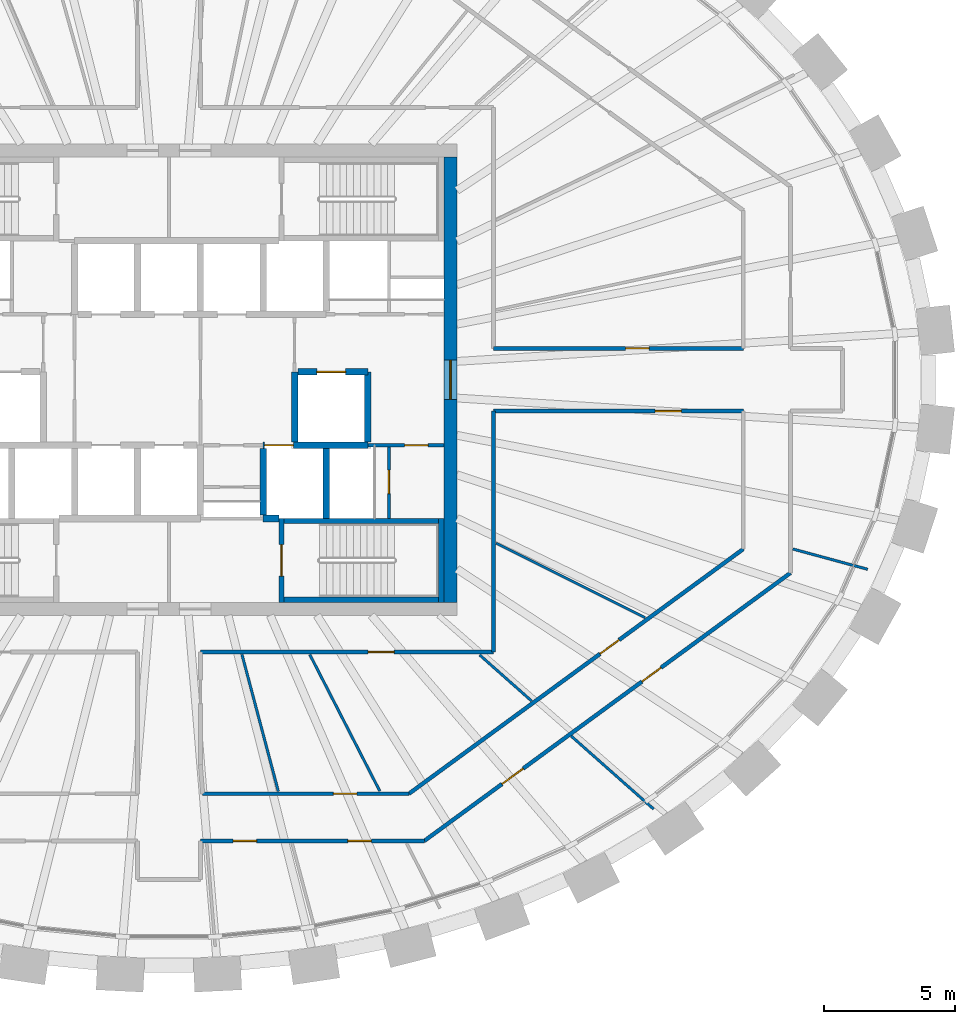
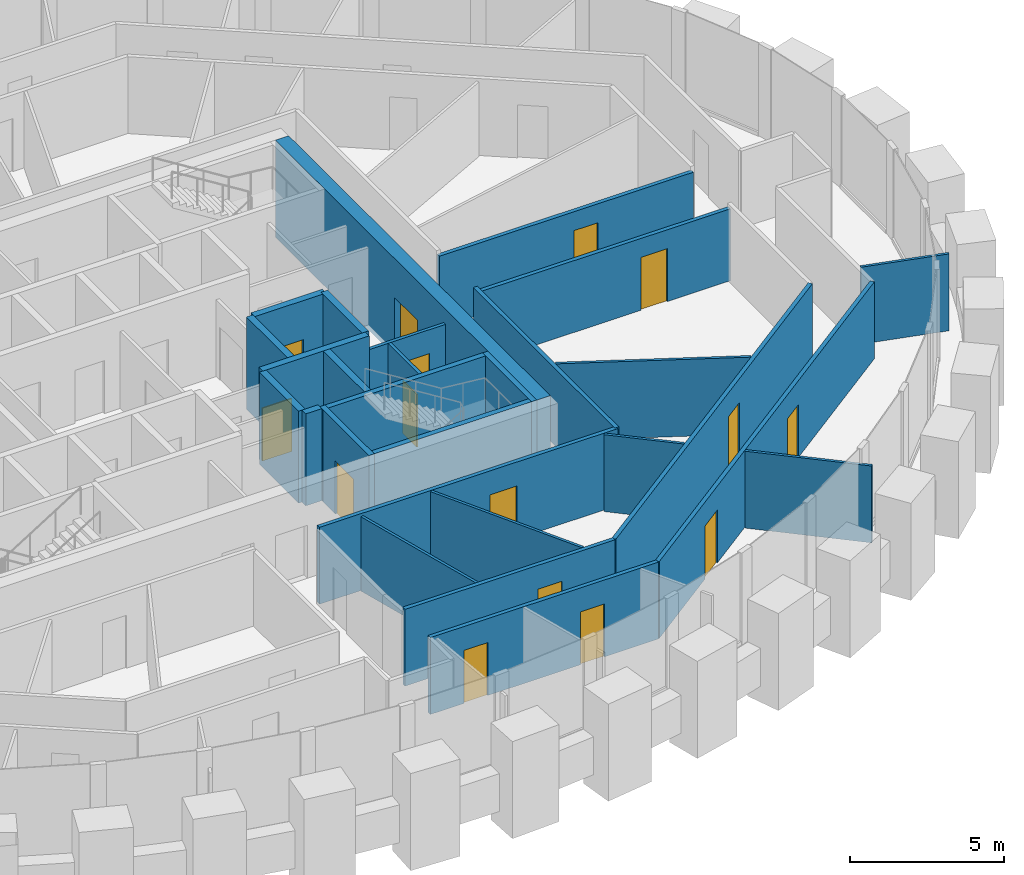
# One storey, part 8 of 11: 28 walls, 15 doors, 15 openings.
"""IFC4 building model written with IfcOpenShell, lengths in metres."""

import ifcopenshell
import ifcopenshell.guid

model = None  # the IFC model being written
_history = None  # IfcOwnerHistory: only IFC2X3 demands one
_inside = {}  # id of a spatial element -> (the spatial element, [elements in it])
_under = {}  # id of a project, library or spatial element -> (it, [spatial elements below it])
_declared = {}  # id of a project -> (the project, [libraries it declares])
_typed = {}  # id of a type object -> (the type object, [elements of that type])
_made_of = {}  # id of a material, layer set ... -> (it, [elements and type objects made of it])


def new_model(schema):
    """Start an empty IFC model of exactly this schema.

    Asked for "IFC4X3", IfcOpenShell would pick the latest addendum, in which some entities
    have other attributes; the version numbers below select the first issue.
    IFC2X3 requires an IfcOwnerHistory on every rooted entity: one is made here for all.
    """
    global model, _history
    if schema == "IFC4X3":
        model = ifcopenshell.file(schema_version=(4, 3, 0, 0))
    else:
        model = ifcopenshell.file(schema=schema)
    _inside.clear()
    _under.clear()
    _declared.clear()
    _typed.clear()
    _made_of.clear()
    _history = None
    if model.schema == "IFC2X3":
        org = make("IfcOrganization", Name="unknown")
        user = make(
            "IfcPersonAndOrganization",
            ThePerson=make("IfcPerson", FamilyName="unknown"),
            TheOrganization=org,
        )
        app = make(
            "IfcApplication",
            ApplicationDeveloper=org,
            Version="unknown",
            ApplicationFullName="unknown",
            ApplicationIdentifier="unknown",
        )
        _history = make(
            "IfcOwnerHistory",
            OwningUser=user,
            OwningApplication=app,
            ChangeAction="ADDED",
            CreationDate=0,
        )
    return model


def make(cls, **values):
    """One entity of the class cls with the attributes given. An attribute that is None is left unset."""
    return model.create_entity(
        cls, **{name: value for name, value in values.items() if value is not None}
    )


def rooted(cls, **values):
    """An entity with a GlobalId (a new one), such as an element, a storey or a relation."""
    return make(cls, GlobalId=ifcopenshell.guid.new(), OwnerHistory=_history, **values)


def si_unit(unit_type, name, prefix=None):
    """IfcSIUnit, for example si_unit("LENGTHUNIT", "METRE", prefix="MILLI")."""
    return make("IfcSIUnit", UnitType=unit_type, Prefix=prefix, Name=name)


def assignment(units):
    """IfcUnitAssignment: the units of a project."""
    return None if units is None else make("IfcUnitAssignment", Units=units)


def point(xyz):
    """IfcCartesianPoint."""
    return None if xyz is None else make("IfcCartesianPoint", Coordinates=xyz)


def direction(xyz):
    """IfcDirection."""
    return None if xyz is None else make("IfcDirection", DirectionRatios=xyz)


def frame(location, z_axis=None, x_axis=None):
    """IfcAxis2Placement3D, a coordinate frame: its origin and axes. An axis left out is left unset."""
    return make(
        "IfcAxis2Placement3D",
        Location=point(location),
        Axis=direction(z_axis),
        RefDirection=direction(x_axis),
    )


def frame_2d(location, x_axis=None):
    """IfcAxis2Placement2D, a coordinate frame in the plane: its origin and x axis."""
    return make(
        "IfcAxis2Placement2D", Location=point(location), RefDirection=direction(x_axis)
    )


def origin():
    """The frame at (0, 0, 0) with its axes left unset."""
    return frame((0.0, 0.0, 0.0))


def place(relative_to, where):
    """IfcLocalPlacement: puts the frame where relative to a parent placement (None: the world)."""
    return make(
        "IfcLocalPlacement", PlacementRelTo=relative_to, RelativePlacement=where
    )


def context(
    kind, dimensions, precision=None, world=None, true_north=None, identifier=None
):
    """IfcGeometricRepresentationContext, for example the 3D "Model" context."""
    return make(
        "IfcGeometricRepresentationContext",
        ContextIdentifier=identifier,
        ContextType=kind,
        CoordinateSpaceDimension=dimensions,
        Precision=precision,
        WorldCoordinateSystem=world,
        TrueNorth=true_north,
    )


def subcontext(parent, identifier, kind, view, scale=None):
    """IfcGeometricRepresentationSubContext, for example "Body" below "Model"."""
    return make(
        "IfcGeometricRepresentationSubContext",
        ContextIdentifier=identifier,
        ContextType=kind,
        ParentContext=parent,
        TargetScale=scale,
        TargetView=view,
    )


def project(units=None, contexts=None):
    """IfcProject with its units and contexts."""
    return rooted(
        "IfcProject",
        Name="project",
        RepresentationContexts=contexts,
        UnitsInContext=assignment(units),
    )


def spatial(cls, under=None, at=None, **own):
    """A site, building, storey or space (cls), placed at a placement, below another one or the project."""
    s = rooted(cls, ObjectPlacement=at, **own)
    if under is not None:
        _under.setdefault(under.id(), (under, []))[1].append(s)
    return s


def profile(cls, at=None, kind="AREA", **sizes):
    """A parametric profile (cls). Its sizes go by their IFC names, for example OverallWidth=200.0."""
    return make(cls, ProfileType=kind, Position=at, **sizes)


def rectangle(**sizes):
    """IfcRectangleProfileDef."""
    return profile("IfcRectangleProfileDef", **sizes)


def extrude(swept, where, along, depth):
    """IfcExtrudedAreaSolid: the profile swept, set in the frame where, extruded along a direction by depth."""
    return make(
        "IfcExtrudedAreaSolid",
        SweptArea=swept,
        Position=where,
        ExtrudedDirection=direction(along),
        Depth=depth,
    )


def shape(context_of_items, identifier, shape_type, items):
    """IfcShapeRepresentation: the items that make up one representation, for example the "Body"."""
    return make(
        "IfcShapeRepresentation",
        ContextOfItems=context_of_items,
        RepresentationIdentifier=identifier,
        RepresentationType=shape_type,
        Items=items,
    )


def source(mapping_origin, context_of_items, identifier, shape_type, items):
    """IfcRepresentationMap: a shape defined once, which mapped items show again and again."""
    return make(
        "IfcRepresentationMap",
        MappingOrigin=mapping_origin,
        MappedRepresentation=shape(context_of_items, identifier, shape_type, items),
    )


def transform(
    local_origin,
    x_axis=None,
    y_axis=None,
    z_axis=None,
    scale=None,
    scale2=None,
    scale3=None,
    uniform=True,
):
    """IfcCartesianTransformationOperator3D, or its non-uniform kind. x_axis, y_axis, z_axis: its Axis1, 2, 3."""
    if uniform:
        return make(
            "IfcCartesianTransformationOperator3D",
            Axis1=direction(x_axis),
            Axis2=direction(y_axis),
            LocalOrigin=point(local_origin),
            Scale=scale,
            Axis3=direction(z_axis),
        )
    return make(
        "IfcCartesianTransformationOperator3DnonUniform",
        Axis1=direction(x_axis),
        Axis2=direction(y_axis),
        LocalOrigin=point(local_origin),
        Scale=scale,
        Axis3=direction(z_axis),
        Scale2=scale2,
        Scale3=scale3,
    )


def mapped(mapping_source, mapping_target):
    """IfcMappedItem: shows the shape of a source again, moved by a transform."""
    return make(
        "IfcMappedItem", MappingSource=mapping_source, MappingTarget=mapping_target
    )


def material(Name=None, Category=None):
    """IfcMaterial."""
    return make("IfcMaterial", Name=Name, Category=Category)


def layer(
    of_material, thickness, ventilated=None, Name=None, Category=None, Priority=None
):
    """IfcMaterialLayer: one layer of a wall or slab, of a material (None: an air gap)."""
    return make(
        "IfcMaterialLayer",
        Material=of_material,
        LayerThickness=thickness,
        IsVentilated=ventilated,
        Name=Name,
        Category=Category,
        Priority=Priority,
    )


def layer_set(layers, Name=None):
    """IfcMaterialLayerSet."""
    return make("IfcMaterialLayerSet", MaterialLayers=layers, LayerSetName=Name)


def made_of(thing, what):
    """Note that an element or type object is made of a material, layer set ...; save() writes the relation."""
    if what is not None:
        _made_of.setdefault(what.id(), (what, []))[1].append(thing)
    return thing


def type_object(cls, material=None, **own):
    """A type object (cls), such as IfcWallType, which elements share."""
    return made_of(rooted(cls, **own), material)


def element(
    cls,
    number,
    at=None,
    inside=None,
    cuts=None,
    type_object=None,
    material=None,
    context=None,
    identifier="Body",
    shape_type=None,
    held_by="IfcProductDefinitionShape",
    body=None,
    shapes=None,
    **own,
):
    """One element of the class cls, such as IfcWall. Its Tag is "e" and its number.

    at: its placement. inside: the storey or other place that contains it. cuts: it is an
    opening in that element (IfcRelVoidsElement). A single representation is given by context,
    identifier, shape_type and body (its items); several are given by shapes. held_by: the class
    of the entity that holds the representations. save() writes the other relations.
    """
    e = rooted(cls, Tag="e%d" % number, ObjectPlacement=at, **own)
    if body is not None:
        shapes = [shape(context, identifier, shape_type, body)]
    if shapes is not None:
        e.Representation = make(held_by, Representations=shapes)
    if inside is not None:
        _inside.setdefault(inside.id(), (inside, []))[1].append(e)
    if cuts is not None:
        rooted(
            "IfcRelVoidsElement", RelatingBuildingElement=cuts, RelatedOpeningElement=e
        )
    if type_object is not None:
        _typed.setdefault(type_object.id(), (type_object, []))[1].append(e)
    return made_of(e, material)


def fill(opening, filler):
    """IfcRelFillsElement: the door or window that sits in an opening."""
    return rooted(
        "IfcRelFillsElement",
        RelatingOpeningElement=opening,
        RelatedBuildingElement=filler,
    )


def aggregate(whole, parts):
    """IfcRelAggregates: a whole, such as a stair, and the parts it consists of."""
    return rooted("IfcRelAggregates", RelatingObject=whole, RelatedObjects=parts)


def save(model, path):
    """Write the relations noted so far, then the file.

    IfcRelAggregates (storeys below a building ...), IfcRelContainedInSpatialStructure (elements
    in a storey), IfcRelDefinesByType, IfcRelAssociatesMaterial and IfcRelDeclares: one each for
    every whole, place, type object, material and project.
    """
    for whole, parts in _under.values():
        aggregate(whole, parts)
    for where, things in _inside.values():
        rooted(
            "IfcRelContainedInSpatialStructure",
            RelatedElements=things,
            RelatingStructure=where,
        )
    for kind, things in _typed.values():
        rooted("IfcRelDefinesByType", RelatedObjects=things, RelatingType=kind)
    for what, things in _made_of.values():
        rooted("IfcRelAssociatesMaterial", RelatedObjects=things, RelatingMaterial=what)
    for by, libraries in _declared.values():
        rooted("IfcRelDeclares", RelatingContext=by, RelatedDefinitions=libraries)
    model.write(path)


model = new_model("IFC4")

# Units and contexts
model_context = context("Model", 3, precision=1e-05, world=origin(), true_north=direction((0.0, 1.0)))
body_context = subcontext(model_context, "Body", "Model", "MODEL_VIEW")
ifc_project = project(units=[si_unit("LENGTHUNIT", "METRE"), si_unit("AREAUNIT", "SQUARE_METRE"), si_unit("VOLUMEUNIT", "CUBIC_METRE"), si_unit("PLANEANGLEUNIT", "RADIAN"), si_unit("MASSUNIT", "GRAM", prefix="KILO")], contexts=[model_context])

# Site, building, storey
site_placement = place(None, origin())
site = spatial("IfcSite", under=ifc_project, at=site_placement, CompositionType="ELEMENT")
building_placement = place(site_placement, origin())
building = spatial("IfcBuilding", under=site, at=building_placement, Name="Embergate Tower", CompositionType="ELEMENT")
storey_placement = place(building_placement, frame((0.0, 0.0, 328.60009765625)))
storey = spatial("IfcBuildingStorey", under=building, at=storey_placement, Name="L77", CompositionType="ELEMENT", Elevation=328.60009765625)

# Wall, opening, door
ifc_material_1 = material(Name="Concrete C50", Category="concrete")
ifc_layer_1 = layer(ifc_material_1, 0.5)
ifc_layer_set_1 = layer_set([ifc_layer_1], Name="Concrete C50")
wall_type_1 = type_object("IfcWallType", Name="Core outer wall C50 500", PredefinedType="SHEAR", material=ifc_layer_set_1)
shared_shape_1 = source(origin(), body_context, "Body", "SweptSolid", [
    extrude(rectangle(XDim=17.0, YDim=0.5, at=frame_2d((8.5, 0.0))), origin(), (0.0, 0.0, 1.0), 3.85009765625),
])
wall_1_placement = place(storey_placement, frame((10.75, -8.5, -0.2001953125), z_axis=(0.0, 0.0, 1.0), x_axis=(0.0, 1.0, 0.0)))
wall_1 = element("IfcWall", 1, at=wall_1_placement, inside=storey, type_object=wall_type_1, Name="CW-L77-E", PredefinedType="SHEAR", context=body_context, shape_type="MappedRepresentation", body=[
    mapped(shared_shape_1, transform((0.0, 0.0, 0.0))),
])
shared_shape_2 = source(origin(), body_context, "Body", "SweptSolid", [
    extrude(rectangle(XDim=1.5, YDim=2.10009765625, at=frame_2d((0.75, 1.050048828125))), frame((0.0, 0.260009765625, 0.0), z_axis=(0.0, -1.0, 0.0), x_axis=(1.0, 0.0, 0.0)), (0.0, 0.0, 1.0), 0.52001953125),
])
opening_1_placement = place(wall_1_placement, frame((7.75, 0.0, 0.199951171875)))
opening_1 = element("IfcOpeningElement", 2, at=opening_1_placement, cuts=wall_1, Name="Opening IF-3", PredefinedType="OPENING", context=body_context, shape_type="MappedRepresentation", body=[
    mapped(shared_shape_2, transform((0.0, 0.0, 0.0))),
])
ifc_material_2 = material(Name="Lobby fire door pair 1500")
door_type_1 = type_object("IfcDoorType", Name="Lobby fire door pair 1500", OperationType="DOUBLE_DOOR_SINGLE_SWING", PredefinedType="DOOR", material=ifc_material_2)
shared_shape_3 = source(origin(), body_context, "Body", "SweptSolid", [
    extrude(rectangle(XDim=1.5, YDim=2.10009765625, at=frame_2d((0.75, 1.050048828125))), frame((0.0, 0.02490234375, 0.0), z_axis=(0.0, -1.0, 0.0), x_axis=(1.0, 0.0, 0.0)), (0.0, 0.0, 1.0), 0.050048828125),
])
door_1_placement = place(opening_1_placement, origin())
door_1 = element("IfcDoor", 3, at=door_1_placement, inside=storey, type_object=door_type_1, Name="IF-3 door", OperationType="DOUBLE_DOOR_SINGLE_SWING", OverallHeight=2.10009765625, OverallWidth=1.5, PredefinedType="DOOR", context=body_context, shape_type="MappedRepresentation", body=[
    mapped(shared_shape_3, transform((0.0, 0.0, 0.0))),
])
fill(opening_1, door_1)

# Wall, openings, doors
ifc_material_3 = material(Name="Corridor wall dry-lined 150")
ifc_layer_2 = layer(ifc_material_3, 0.14990234375)
ifc_layer_set_2 = layer_set([ifc_layer_2], Name="Corridor wall dry-lined 150")
wall_type_2 = type_object("IfcWallType", Name="Corridor wall dry-lined 150", PredefinedType="PARTITIONING", material=ifc_layer_set_2)
shared_shape_4 = source(origin(), body_context, "Body", "SweptSolid", [
    extrude(rectangle(XDim=17.3251953125, YDim=0.14990234375, at=frame_2d((8.66259765625, 0.0))), origin(), (0.0, 0.0, 1.0), 3.0498046875),
])
wall_2_placement = place(storey_placement, frame((9.751953125, -17.611083984375, 0.0), z_axis=(0.0, 0.0, 1.0), x_axis=(0.806969554432, 0.590593039427, 0.0)))
wall_2 = element("IfcWall", 4, at=wall_2_placement, inside=storey, type_object=wall_type_2, Name="IP-2 wall", PredefinedType="PARTITIONING", context=body_context, shape_type="MappedRepresentation", body=[
    mapped(shared_shape_4, transform((0.0, 0.0, 0.0))),
])
shared_shape_5 = source(origin(), body_context, "Body", "SweptSolid", [
    extrude(rectangle(XDim=1.0, YDim=2.10009765625, at=frame_2d((0.5, 1.050048828125))), frame((0.0, 0.0849609375, 0.0), z_axis=(0.0, -1.0, 0.0), x_axis=(1.0, 0.0, 0.0)), (0.0, 0.0, 1.0), 0.169921875),
])
opening_2_placement = place(wall_2_placement, frame((3.677490234375, 0.0, 0.0)))
opening_2 = element("IfcOpeningElement", 5, at=opening_2_placement, cuts=wall_2, Name="Opening ID-2", PredefinedType="OPENING", context=body_context, shape_type="MappedRepresentation", body=[
    mapped(shared_shape_5, transform((0.0, 0.0, 0.0))),
])
shared_shape_6 = source(origin(), body_context, "Body", "SweptSolid", [
    extrude(rectangle(XDim=0.89990234375, YDim=2.10009765625, at=frame_2d((0.449951171875, 1.050048828125))), frame((0.0, 0.0849609375, 0.0), z_axis=(0.0, -1.0, 0.0), x_axis=(1.0, 0.0, 0.0)), (0.0, 0.0, 1.0), 0.169921875),
])
opening_3_placement = place(wall_2_placement, frame((10.303955078125, 0.0, 0.0)))
opening_3 = element("IfcOpeningElement", 6, at=opening_3_placement, cuts=wall_2, Name="Opening IF-1c", PredefinedType="OPENING", context=body_context, shape_type="MappedRepresentation", body=[
    mapped(shared_shape_6, transform((0.0, 0.0, 0.0))),
])
ifc_material_4 = material(Name="Escape fire door 900")
door_type_2 = type_object("IfcDoorType", Name="Escape fire door 900", OperationType="SINGLE_SWING_LEFT", PredefinedType="DOOR", material=ifc_material_4)
shared_shape_7 = source(origin(), body_context, "Body", "SweptSolid", [
    extrude(rectangle(XDim=0.89990234375, YDim=2.10009765625, at=frame_2d((0.449951171875, 1.050048828125))), frame((0.0, 0.02490234375, 0.0), z_axis=(0.0, -1.0, 0.0), x_axis=(1.0, 0.0, 0.0)), (0.0, 0.0, 1.0), 0.050048828125),
])
door_2_placement = place(opening_3_placement, origin())
door_2 = element("IfcDoor", 7, at=door_2_placement, inside=storey, type_object=door_type_2, Name="IF-1 door", OperationType="SINGLE_SWING_LEFT", OverallHeight=2.10009765625, OverallWidth=0.89990234375, PredefinedType="DOOR", context=body_context, shape_type="MappedRepresentation", body=[
    mapped(shared_shape_7, transform((0.0, 0.0, 0.0))),
])
fill(opening_3, door_2)
ifc_material_5 = material(Name="Interior door 1000")
door_type_3 = type_object("IfcDoorType", Name="Interior door 1000", OperationType="SINGLE_SWING_LEFT", PredefinedType="DOOR", material=ifc_material_5)
shared_shape_8 = source(origin(), body_context, "Body", "SweptSolid", [
    extrude(rectangle(XDim=1.0, YDim=2.10009765625, at=frame_2d((0.5, 1.050048828125))), frame((0.0, 0.02490234375, 0.0), z_axis=(0.0, -1.0, 0.0), x_axis=(1.0, 0.0, 0.0)), (0.0, 0.0, 1.0), 0.050048828125),
])
door_3_placement = place(opening_2_placement, origin())
door_3 = element("IfcDoor", 8, at=door_3_placement, inside=storey, type_object=door_type_3, Name="ID-2 door", OperationType="SINGLE_SWING_RIGHT", OverallHeight=2.10009765625, OverallWidth=1.0, PredefinedType="DOOR", context=body_context, shape_type="MappedRepresentation", body=[
    mapped(shared_shape_8, transform((0.0, 0.0, 0.0))),
])
fill(opening_2, door_3)

# Wall, opening, door
shared_shape_9 = source(origin(), body_context, "Body", "SweptSolid", [
    extrude(rectangle(XDim=15.82470703125, YDim=0.14990234375, at=frame_2d((7.912353515625, 0.0))), origin(), (0.0, 0.0, 1.0), 3.0498046875),
])
wall_3_placement = place(storey_placement, frame((9.1630859375, -15.81103515625, 0.0), z_axis=(0.0, 0.0, 1.0), x_axis=(0.80696917181, 0.590593562231, 0.0)))
wall_3 = element("IfcWall", 9, at=wall_3_placement, inside=storey, type_object=wall_type_2, Name="IP-2 wall", PredefinedType="PARTITIONING", context=body_context, shape_type="MappedRepresentation", body=[
    mapped(shared_shape_9, transform((0.0, 0.0, 0.0))),
])
opening_4_placement = place(wall_3_placement, frame((9.046875, 0.0, 0.0)))
opening_4 = element("IfcOpeningElement", 10, at=opening_4_placement, cuts=wall_3, Name="Opening IF-1c", PredefinedType="OPENING", context=body_context, shape_type="MappedRepresentation", body=[
    mapped(shared_shape_6, transform((0.0, 0.0, 0.0))),
])
door_4_placement = place(opening_4_placement, origin())
door_4 = element("IfcDoor", 11, at=door_4_placement, inside=storey, type_object=door_type_2, Name="IF-1 door", OperationType="SINGLE_SWING_LEFT", OverallHeight=2.10009765625, OverallWidth=0.89990234375, PredefinedType="DOOR", context=body_context, shape_type="MappedRepresentation", body=[
    mapped(shared_shape_7, transform((0.0, 0.0, 0.0))),
])
fill(opening_4, door_4)

# Wall
shared_shape_10 = source(origin(), body_context, "Body", "SweptSolid", [
    extrude(rectangle(XDim=9.199951171875, YDim=0.14990234375, at=frame_2d((4.60009765625, 0.0))), origin(), (0.0, 0.0, 1.0), 3.0498046875),
])
wall_4_placement = place(storey_placement, frame((12.39990234375, -1.199951171875, 0.0), z_axis=(0.0, 0.0, 1.0), x_axis=(0.0, -1.0, 0.0)))
element("IfcWall", 12, at=wall_4_placement, inside=storey, type_object=wall_type_2, Name="IP-2 wall", PredefinedType="PARTITIONING", context=body_context, shape_type="MappedRepresentation", body=[
    mapped(shared_shape_10, transform((0.0, 0.0, 0.0))),
])

# Wall, opening, door
shared_shape_11 = source(origin(), body_context, "Body", "SweptSolid", [
    extrude(rectangle(XDim=11.199951171875, YDim=0.14990234375, at=frame_2d((5.60009765625, 0.0))), origin(), (0.0, 0.0, 1.0), 3.0498046875),
])
wall_5_placement = place(storey_placement, frame((1.199951171875, -10.39990234375, 0.0), z_axis=(0.0, 0.0, 1.0), x_axis=(1.0, 0.0, 0.0)))
wall_5 = element("IfcWall", 13, at=wall_5_placement, inside=storey, type_object=wall_type_2, Name="IP-2 wall", PredefinedType="PARTITIONING", context=body_context, shape_type="MappedRepresentation", body=[
    mapped(shared_shape_11, transform((0.0, 0.0, 0.0))),
])
opening_5_placement = place(wall_5_placement, frame((6.403076171875, 0.0, 0.0)))
opening_5 = element("IfcOpeningElement", 14, at=opening_5_placement, cuts=wall_5, Name="Opening ID-2", PredefinedType="OPENING", context=body_context, shape_type="MappedRepresentation", body=[
    mapped(shared_shape_5, transform((0.0, 0.0, 0.0))),
])
door_5_placement = place(opening_5_placement, origin())
door_5 = element("IfcDoor", 15, at=door_5_placement, inside=storey, type_object=door_type_3, Name="ID-2 door", OperationType="SINGLE_SWING_RIGHT", OverallHeight=2.10009765625, OverallWidth=1.0, PredefinedType="DOOR", context=body_context, shape_type="MappedRepresentation", body=[
    mapped(shared_shape_8, transform((0.0, 0.0, 0.0))),
])
fill(opening_5, door_5)

# Wall, openings, doors
shared_shape_12 = source(origin(), body_context, "Body", "SweptSolid", [
    extrude(rectangle(XDim=8.552001953125, YDim=0.14990234375, at=frame_2d((4.27587890625, 0.0))), origin(), (0.0, 0.0, 1.0), 3.0498046875),
])
wall_6_placement = place(storey_placement, frame((9.751953125, -17.611083984375, 0.0), z_axis=(0.0, 0.0, 1.0), x_axis=(-1.0, 0.0, 0.0)))
wall_6 = element("IfcWall", 16, at=wall_6_placement, inside=storey, type_object=wall_type_2, Name="IP-2 wall", PredefinedType="PARTITIONING", context=body_context, shape_type="MappedRepresentation", body=[
    mapped(shared_shape_12, transform((0.0, 0.0, 0.0))),
])
opening_6_placement = place(wall_6_placement, frame((6.39990234375, 0.0, 0.0)))
opening_6 = element("IfcOpeningElement", 17, at=opening_6_placement, cuts=wall_6, Name="Opening IF-1c", PredefinedType="OPENING", context=body_context, shape_type="MappedRepresentation", body=[
    mapped(shared_shape_6, transform((0.0, 0.0, 0.0))),
])
opening_7_placement = place(wall_6_placement, frame((2.020751953125, 0.0, 0.0)))
opening_7 = element("IfcOpeningElement", 18, at=opening_7_placement, cuts=wall_6, Name="Opening IF-1c", PredefinedType="OPENING", context=body_context, shape_type="MappedRepresentation", body=[
    mapped(shared_shape_6, transform((0.0, 0.0, 0.0))),
])
door_6_placement = place(opening_6_placement, origin())
door_6 = element("IfcDoor", 19, at=door_6_placement, inside=storey, type_object=door_type_2, Name="IF-1 door", OperationType="SINGLE_SWING_LEFT", OverallHeight=2.10009765625, OverallWidth=0.89990234375, PredefinedType="DOOR", context=body_context, shape_type="MappedRepresentation", body=[
    mapped(shared_shape_7, transform((0.0, 0.0, 0.0))),
])
fill(opening_6, door_6)
door_7_placement = place(opening_7_placement, origin())
door_7 = element("IfcDoor", 20, at=door_7_placement, inside=storey, type_object=door_type_2, Name="IF-1 door", OperationType="SINGLE_SWING_LEFT", OverallHeight=2.10009765625, OverallWidth=0.89990234375, PredefinedType="DOOR", context=body_context, shape_type="MappedRepresentation", body=[
    mapped(shared_shape_7, transform((0.0, 0.0, 0.0))),
])
fill(opening_7, door_7)

# Wall, opening, door
shared_shape_13 = source(origin(), body_context, "Body", "SweptSolid", [
    extrude(rectangle(XDim=7.873046875, YDim=0.14990234375, at=frame_2d((3.9365234375, 0.0))), origin(), (0.0, 0.0, 1.0), 3.0498046875),
])
wall_7_placement = place(storey_placement, frame((9.1630859375, -15.81103515625, 0.0), z_axis=(0.0, 0.0, 1.0), x_axis=(-1.0, 0.0, 0.0)))
wall_7 = element("IfcWall", 21, at=wall_7_placement, inside=storey, type_object=wall_type_2, Name="IP-2 wall", PredefinedType="PARTITIONING", context=body_context, shape_type="MappedRepresentation", body=[
    mapped(shared_shape_13, transform((0.0, 0.0, 0.0))),
])
opening_8_placement = place(wall_7_placement, frame((1.9814453125, 0.0, 0.0)))
opening_8 = element("IfcOpeningElement", 22, at=opening_8_placement, cuts=wall_7, Name="Opening IF-1c", PredefinedType="OPENING", context=body_context, shape_type="MappedRepresentation", body=[
    mapped(shared_shape_6, transform((0.0, 0.0, 0.0))),
])
door_8_placement = place(opening_8_placement, origin())
door_8 = element("IfcDoor", 23, at=door_8_placement, inside=storey, type_object=door_type_2, Name="IF-1 door", OperationType="SINGLE_SWING_RIGHT", OverallHeight=2.10009765625, OverallWidth=0.89990234375, PredefinedType="DOOR", context=body_context, shape_type="MappedRepresentation", body=[
    mapped(shared_shape_7, transform((0.0, 0.0, 0.0))),
])
fill(opening_8, door_8)

shared_shape_14 = source(origin(), body_context, "Body", "SweptSolid", [
    extrude(rectangle(XDim=9.533203125, YDim=0.14990234375, at=frame_2d((4.7666015625, 0.0))), origin(), (0.0, 0.0, 1.0), 2.849853515625),
])
wall_8_placement = place(storey_placement, frame((21.93310546875, -1.199951171875, 0.0), z_axis=(0.0, 0.0, 1.0), x_axis=(-1.0, 0.0, 0.0)))
wall_8 = element("IfcWall", 24, at=wall_8_placement, inside=storey, type_object=wall_type_2, Name="IP-2 wall", PredefinedType="PARTITIONING", context=body_context, shape_type="MappedRepresentation", body=[
    mapped(shared_shape_14, transform((0.0, 0.0, 0.0))),
])
opening_9_placement = place(wall_8_placement, frame((2.36279296875, 0.0, 0.0)))
opening_9 = element("IfcOpeningElement", 25, at=opening_9_placement, cuts=wall_8, Name="Opening ID-2", PredefinedType="OPENING", context=body_context, shape_type="MappedRepresentation", body=[
    mapped(shared_shape_5, transform((0.0, 0.0, 0.0))),
])
door_9_placement = place(opening_9_placement, origin())
door_9 = element("IfcDoor", 26, at=door_9_placement, inside=storey, type_object=door_type_3, Name="ID-2 door", OperationType="SINGLE_SWING_LEFT", OverallHeight=2.10009765625, OverallWidth=1.0, PredefinedType="DOOR", context=body_context, shape_type="MappedRepresentation", body=[
    mapped(shared_shape_8, transform((0.0, 0.0, 0.0))),
])
fill(opening_9, door_9)

wall_9_placement = place(storey_placement, frame((12.39990234375, 1.199951171875, 0.0), z_axis=(0.0, 0.0, 1.0), x_axis=(1.0, 0.0, 0.0)))
wall_9 = element("IfcWall", 27, at=wall_9_placement, inside=storey, type_object=wall_type_2, Name="IP-2 wall", PredefinedType="PARTITIONING", context=body_context, shape_type="MappedRepresentation", body=[
    mapped(shared_shape_14, transform((0.0, 0.0, 0.0))),
])
opening_10_placement = place(wall_9_placement, frame((5.0390625, 0.0, 0.0)))
opening_10 = element("IfcOpeningElement", 28, at=opening_10_placement, cuts=wall_9, Name="Opening IF-1c", PredefinedType="OPENING", context=body_context, shape_type="MappedRepresentation", body=[
    mapped(shared_shape_6, transform((0.0, 0.0, 0.0))),
])
door_10_placement = place(opening_10_placement, origin())
door_10 = element("IfcDoor", 29, at=door_10_placement, inside=storey, type_object=door_type_2, Name="IF-1 door", OperationType="SINGLE_SWING_RIGHT", OverallHeight=2.10009765625, OverallWidth=0.89990234375, PredefinedType="DOOR", context=body_context, shape_type="MappedRepresentation", body=[
    mapped(shared_shape_7, transform((0.0, 0.0, 0.0))),
])
fill(opening_10, door_10)

# Walls
ifc_material_6 = material(Name="Partition dry-lined 100")
ifc_layer_3 = layer(ifc_material_6, 0.10009765625)
ifc_layer_set_3 = layer_set([ifc_layer_3], Name="Partition dry-lined 100")
wall_type_3 = type_object("IfcWallType", Name="Partition dry-lined 100", PredefinedType="PARTITIONING", material=ifc_layer_set_3)
shared_shape_15 = source(origin(), body_context, "Body", "SweptSolid", [
    extrude(rectangle(XDim=4.20703125, YDim=0.10009765625, at=frame_2d((2.103515625, 0.0))), origin(), (0.0, 0.0, 1.0), 3.0498046875),
])
wall_10_placement = place(storey_placement, frame((15.364013671875, -13.610107421875, 0.0), z_axis=(0.0, 0.0, 1.0), x_axis=(0.748500116383, -0.663134658855, 0.0)))
element("IfcWall", 30, at=wall_10_placement, inside=storey, type_object=wall_type_3, Name="IP-1 wall", PredefinedType="PARTITIONING", context=body_context, shape_type="MappedRepresentation", body=[
    mapped(shared_shape_15, transform((0.0, 0.0, 0.0))),
])
shared_shape_16 = source(origin(), body_context, "Body", "SweptSolid", [
    extrude(rectangle(XDim=5.41650390625, YDim=0.10009765625, at=frame_2d((2.708251953125, 0.0))), origin(), (0.0, 0.0, 1.0), 2.949951171875),
])
wall_11_placement = place(storey_placement, frame((2.787109375, -10.488037109375, 0.0), z_axis=(0.0, 0.0, 1.0), x_axis=(0.256784450069, -0.966468699029, 0.0)))
element("IfcWall", 31, at=wall_11_placement, inside=storey, type_object=wall_type_3, Name="IP-1 wall", PredefinedType="PARTITIONING", context=body_context, shape_type="MappedRepresentation", body=[
    mapped(shared_shape_16, transform((0.0, 0.0, 0.0))),
])
shared_shape_17 = source(origin(), body_context, "Body", "SweptSolid", [
    extrude(rectangle(XDim=5.85986328125, YDim=0.10009765625, at=frame_2d((2.929931640625, 0.0))), origin(), (0.0, 0.0, 1.0), 3.0498046875),
])
wall_12_placement = place(storey_placement, frame((5.381103515625, -10.498046875, 0.0), z_axis=(0.0, 0.0, 1.0), x_axis=(0.456123786711, -0.889916339437, 0.0)))
element("IfcWall", 32, at=wall_12_placement, inside=storey, type_object=wall_type_3, Name="IP-1 wall", PredefinedType="PARTITIONING", context=body_context, shape_type="MappedRepresentation", body=[
    mapped(shared_shape_17, transform((0.0, 0.0, 0.0))),
])
shared_shape_18 = source(origin(), body_context, "Body", "SweptSolid", [
    extrude(rectangle(XDim=2.654541015625, YDim=0.10009765625, at=frame_2d((1.3271484375, 0.0))), origin(), (0.0, 0.0, 1.0), 3.0498046875),
])
wall_13_placement = place(storey_placement, frame((11.866943359375, -10.511962890625, 0.0), z_axis=(0.0, 0.0, 1.0), x_axis=(0.748580354295, -0.66304408086, 0.0)))
element("IfcWall", 33, at=wall_13_placement, inside=storey, type_object=wall_type_3, Name="IP-1 wall", PredefinedType="PARTITIONING", context=body_context, shape_type="MappedRepresentation", body=[
    mapped(shared_shape_18, transform((0.0, 0.0, 0.0))),
])
shared_shape_19 = source(origin(), body_context, "Body", "SweptSolid", [
    extrude(rectangle(XDim=2.96435546875, YDim=0.10009765625, at=frame_2d((1.482177734375, 0.0))), origin(), (0.0, 0.0, 1.0), 3.0498046875),
])
wall_14_placement = place(storey_placement, frame((26.681884765625, -7.239013671875, 0.0), z_axis=(0.0, 0.0, 1.0), x_axis=(-0.965114580933, 0.261827893223, 0.0)))
element("IfcWall", 34, at=wall_14_placement, inside=storey, type_object=wall_type_3, Name="IP-1 wall", PredefinedType="PARTITIONING", context=body_context, shape_type="MappedRepresentation", body=[
    mapped(shared_shape_19, transform((0.0, 0.0, 0.0))),
])
shared_shape_20 = source(origin(), body_context, "Body", "SweptSolid", [
    extrude(rectangle(XDim=6.35986328125, YDim=0.10009765625, at=frame_2d((3.179931640625, 0.0))), origin(), (0.0, 0.0, 1.0), 3.0498046875),
])
wall_15_placement = place(storey_placement, frame((12.4970703125, -6.243896484375, 0.0), z_axis=(0.0, 0.0, 1.0), x_axis=(0.894519303439, -0.447029323172, 0.0)))
element("IfcWall", 35, at=wall_15_placement, inside=storey, type_object=wall_type_3, Name="IP-1 wall", PredefinedType="PARTITIONING", context=body_context, shape_type="MappedRepresentation", body=[
    mapped(shared_shape_20, transform((0.0, 0.0, 0.0))),
])
ifc_layer_4 = layer(ifc_material_1, 0.199951171875)
ifc_layer_set_4 = layer_set([ifc_layer_4], Name="Concrete C50")
wall_type_4 = type_object("IfcWallType", Name="Stair enclosure wall reinforced concrete 250", PredefinedType="SHEAR", material=ifc_layer_set_4)
shared_shape_21 = source(origin(), body_context, "Body", "SweptSolid", [
    extrude(rectangle(XDim=6.300048828125, YDim=0.199951171875, at=frame_2d((3.14990234375, 0.0))), origin(), (0.0, 0.0, 1.0), 3.64990234375),
])
wall_16_placement = place(storey_placement, frame((4.199951171875, -5.39990234375, 0.0), z_axis=(0.0, 0.0, 1.0), x_axis=(1.0, 0.0, 0.0)))
element("IfcWall", 36, at=wall_16_placement, inside=storey, type_object=wall_type_4, Name="SE-1 wall", PredefinedType="SHEAR", context=body_context, shape_type="MappedRepresentation", body=[
    mapped(shared_shape_21, transform((0.0, 0.0, 0.0))),
])

# Wall, opening, door
ifc_material_7 = material(Name="Core partition blockwork 120")
ifc_layer_5 = layer(ifc_material_7, 0.1201171875)
ifc_layer_set_5 = layer_set([ifc_layer_5], Name="Core partition blockwork 120")
wall_type_5 = type_object("IfcWallType", Name="Core partition blockwork 120", PredefinedType="PARTITIONING", material=ifc_layer_set_5)
shared_shape_22 = source(origin(), body_context, "Body", "SweptSolid", [
    extrude(rectangle(XDim=2.739990234375, YDim=0.1201171875, at=frame_2d((1.3701171875, 0.0))), origin(), (0.0, 0.0, 1.0), 3.0498046875),
])
wall_17_placement = place(storey_placement, frame((8.39990234375, -5.300048828125, 0.0), z_axis=(0.0, 0.0, 1.0), x_axis=(0.0, 1.0, 0.0)))
wall_17 = element("IfcWall", 37, at=wall_17_placement, inside=storey, type_object=wall_type_5, Name="IP-3 wall", PredefinedType="PARTITIONING", context=body_context, shape_type="MappedRepresentation", body=[
    mapped(shared_shape_22, transform((0.0, 0.0, 0.0))),
])
shared_shape_23 = source(origin(), body_context, "Body", "SweptSolid", [
    extrude(rectangle(XDim=0.89990234375, YDim=2.10009765625, at=frame_2d((0.449951171875, 1.050048828125))), frame((0.0, 0.070068359375, 0.0), z_axis=(0.0, -1.0, 0.0), x_axis=(1.0, 0.0, 0.0)), (0.0, 0.0, 1.0), 0.14013671875),
])
opening_11_placement = place(wall_17_placement, frame((0.949951171875, 0.0, 0.0)))
opening_11 = element("IfcOpeningElement", 38, at=opening_11_placement, cuts=wall_17, Name="Opening ID-1", PredefinedType="OPENING", context=body_context, shape_type="MappedRepresentation", body=[
    mapped(shared_shape_23, transform((0.0, 0.0, 0.0))),
])
ifc_material_8 = material(Name="Interior door 900")
door_type_4 = type_object("IfcDoorType", Name="Interior door 900", OperationType="SINGLE_SWING_LEFT", PredefinedType="DOOR", material=ifc_material_8)
door_11_placement = place(opening_11_placement, origin())
door_11 = element("IfcDoor", 39, at=door_11_placement, inside=storey, type_object=door_type_4, Name="ID-1 door", OperationType="SINGLE_SWING_LEFT", OverallHeight=2.10009765625, OverallWidth=0.89990234375, PredefinedType="DOOR", context=body_context, shape_type="MappedRepresentation", body=[
    mapped(shared_shape_7, transform((0.0, 0.0, 0.0))),
])
fill(opening_11, door_11)

# Walls
ifc_layer_6 = layer(ifc_material_1, 0.25)
ifc_layer_set_6 = layer_set([ifc_layer_6], Name="Concrete C50")
wall_type_6 = type_object("IfcWallType", Name="Hoistway wall reinforced concrete 250", PredefinedType="SHEAR", material=ifc_layer_set_6)
shared_shape_24 = source(origin(), body_context, "Body", "SweptSolid", [
    extrude(rectangle(XDim=2.550048828125, YDim=0.25, at=frame_2d((1.27490234375, 0.0))), origin(), (0.0, 0.0, 1.0), 3.64990234375),
])
wall_18_placement = place(storey_placement, frame((3.60009765625, -2.625, 0.0), z_axis=(0.0, 0.0, 1.0), x_axis=(0.0, -1.0, 0.0)))
element("IfcWall", 40, at=wall_18_placement, inside=storey, type_object=wall_type_6, Name="HW-1 wall", PredefinedType="SHEAR", context=body_context, shape_type="MappedRepresentation", body=[
    mapped(shared_shape_24, transform((0.0, 0.0, 0.0))),
])
shared_shape_25 = source(origin(), body_context, "Body", "SweptSolid", [
    extrude(rectangle(XDim=2.675048828125, YDim=0.25, at=frame_2d((1.33740234375, 0.0))), origin(), (0.0, 0.0, 1.0), 3.64990234375),
])
for number, where, z_axis, x_axis, name in (
    (41, (6.0, -5.300048828125, 0.0), (0.0, 0.0, 1.0), (0.0, 1.0, 0.0), "HW-1 wall"),
    (42, (4.800048828125, -2.375, 0.0), (0.0, 0.0, 1.0), (0.0, 1.0, 0.0), "HW-1 wall"),
):
    element("IfcWall", number, at=place(storey_placement, frame(where, z_axis=z_axis, x_axis=x_axis)), inside=storey, type_object=wall_type_6, Name=name, PredefinedType="SHEAR", context=body_context, shape_type="MappedRepresentation", body=[
        mapped(shared_shape_25, transform((0.0, 0.0, 0.0))),
    ])

# Wall, opening, door
wall_19_placement = place(storey_placement, frame((7.60009765625, 0.300048828125, 0.0), z_axis=(0.0, 0.0, 1.0), x_axis=(-1.0, 0.0, 0.0)))
wall_19 = element("IfcWall", 43, at=wall_19_placement, inside=storey, type_object=wall_type_6, Name="HW-1 wall", PredefinedType="SHEAR", context=body_context, shape_type="MappedRepresentation", body=[
    mapped(shared_shape_25, transform((0.0, 0.0, 0.0))),
])
shared_shape_26 = source(origin(), body_context, "Body", "SweptSolid", [
    extrude(rectangle(XDim=1.10009765625, YDim=2.10009765625, at=frame_2d((0.550048828125, 1.050048828125))), frame((0.0, 0.135009765625, 0.0), z_axis=(0.0, -1.0, 0.0), x_axis=(1.0, 0.0, 0.0)), (0.0, 0.0, 1.0), 0.27001953125),
])
opening_12_placement = place(wall_19_placement, frame((0.85009765625, 0.0, 0.0)))
opening_12 = element("IfcOpeningElement", 44, at=opening_12_placement, cuts=wall_19, Name="Opening LD", PredefinedType="OPENING", context=body_context, shape_type="MappedRepresentation", body=[
    mapped(shared_shape_26, transform((0.0, 0.0, 0.0))),
])
ifc_material_9 = material(Name="Landing door sliding 1100")
door_type_5 = type_object("IfcDoorType", Name="Landing door sliding 1100", OperationType="SLIDING_TO_LEFT", PredefinedType="DOOR", material=ifc_material_9)
shared_shape_27 = source(origin(), body_context, "Body", "SweptSolid", [
    extrude(rectangle(XDim=1.10009765625, YDim=2.10009765625, at=frame_2d((0.550048828125, 1.050048828125))), frame((0.0, 0.02490234375, 0.0), z_axis=(0.0, -1.0, 0.0), x_axis=(1.0, 0.0, 0.0)), (0.0, 0.0, 1.0), 0.050048828125),
])
door_12_placement = place(opening_12_placement, origin())
door_12 = element("IfcDoor", 45, at=door_12_placement, inside=storey, type_object=door_type_5, Name="LD door", OperationType="SLIDING_TO_RIGHT", OverallHeight=2.10009765625, OverallWidth=1.10009765625, PredefinedType="DOOR", context=body_context, shape_type="MappedRepresentation", body=[
    mapped(shared_shape_27, transform((0.0, 0.0, 0.0))),
])
fill(opening_12, door_12)

# Wall
wall_20_placement = place(storey_placement, frame((7.60009765625, -2.375, 0.0), z_axis=(0.0, 0.0, 1.0), x_axis=(0.0, 1.0, 0.0)))
element("IfcWall", 46, at=wall_20_placement, inside=storey, type_object=wall_type_6, Name="HW-1 wall", PredefinedType="SHEAR", context=body_context, shape_type="MappedRepresentation", body=[
    mapped(shared_shape_25, transform((0.0, 0.0, 0.0))),
])

# Wall, opening, door
shared_shape_28 = source(origin(), body_context, "Body", "SweptSolid", [
    extrude(rectangle(XDim=2.89990234375, YDim=0.1201171875, at=frame_2d((1.449951171875, 0.0))), origin(), (0.0, 0.0, 1.0), 3.0498046875),
])
wall_21_placement = place(storey_placement, frame((10.5, -2.5, 0.0), z_axis=(0.0, 0.0, 1.0), x_axis=(-1.0, 0.0, 0.0)))
wall_21 = element("IfcWall", 47, at=wall_21_placement, inside=storey, type_object=wall_type_5, Name="IP-3 wall", PredefinedType="PARTITIONING", context=body_context, shape_type="MappedRepresentation", body=[
    mapped(shared_shape_28, transform((0.0, 0.0, 0.0))),
])
opening_13_placement = place(wall_21_placement, frame((0.60009765625, 0.0, 0.0)))
opening_13 = element("IfcOpeningElement", 48, at=opening_13_placement, cuts=wall_21, Name="Opening ID-1", PredefinedType="OPENING", context=body_context, shape_type="MappedRepresentation", body=[
    mapped(shared_shape_23, transform((0.0, 0.0, 0.0))),
])
door_13_placement = place(opening_13_placement, origin())
door_13 = element("IfcDoor", 49, at=door_13_placement, inside=storey, type_object=door_type_4, Name="ID-1 door", OperationType="SINGLE_SWING_RIGHT", OverallHeight=2.10009765625, OverallWidth=0.89990234375, PredefinedType="DOOR", context=body_context, shape_type="MappedRepresentation", body=[
    mapped(shared_shape_7, transform((0.0, 0.0, 0.0))),
])
fill(opening_13, door_13)

shared_shape_29 = source(origin(), body_context, "Body", "SweptSolid", [
    extrude(rectangle(XDim=4.0, YDim=0.25, at=frame_2d((2.0, 0.0))), origin(), (0.0, 0.0, 1.0), 3.64990234375),
])
wall_22_placement = place(storey_placement, frame((7.60009765625, -2.5, 0.0), z_axis=(0.0, 0.0, 1.0), x_axis=(-1.0, 0.0, 0.0)))
wall_22 = element("IfcWall", 50, at=wall_22_placement, inside=storey, type_object=wall_type_6, Name="HW-1 wall", PredefinedType="SHEAR", context=body_context, shape_type="MappedRepresentation", body=[
    mapped(shared_shape_29, transform((0.0, 0.0, 0.0))),
])
opening_14_placement = place(wall_22_placement, frame((2.85009765625, 0.0, 0.0)))
opening_14 = element("IfcOpeningElement", 51, at=opening_14_placement, cuts=wall_22, Name="Opening LD", PredefinedType="OPENING", context=body_context, shape_type="MappedRepresentation", body=[
    mapped(shared_shape_26, transform((0.0, 0.0, 0.0))),
])
door_14_placement = place(opening_14_placement, origin())
door_14 = element("IfcDoor", 52, at=door_14_placement, inside=storey, type_object=door_type_5, Name="LD door", OperationType="SLIDING_TO_LEFT", OverallHeight=2.10009765625, OverallWidth=1.10009765625, PredefinedType="DOOR", context=body_context, shape_type="MappedRepresentation", body=[
    mapped(shared_shape_27, transform((0.0, 0.0, 0.0))),
])
fill(opening_14, door_14)

# Wall
shared_shape_30 = source(origin(), body_context, "Body", "SweptSolid", [
    extrude(rectangle(XDim=0.599853515625, YDim=0.25, at=frame_2d((0.2998046875, 0.0))), origin(), (0.0, 0.0, 1.0), 3.64990234375),
])
wall_23_placement = place(storey_placement, frame((3.60009765625, -5.300048828125, 0.0), z_axis=(0.0, 0.0, 1.0), x_axis=(1.0, 0.0, 0.0)))
element("IfcWall", 53, at=wall_23_placement, inside=storey, type_object=wall_type_6, Name="HW-1 wall", PredefinedType="SHEAR", context=body_context, shape_type="MappedRepresentation", body=[
    mapped(shared_shape_30, transform((0.0, 0.0, 0.0))),
])

# Wall, opening, door
shared_shape_31 = source(origin(), body_context, "Body", "SweptSolid", [
    extrude(rectangle(XDim=3.199951171875, YDim=0.199951171875, at=frame_2d((1.60009765625, 0.0))), origin(), (0.0, 0.0, 1.0), 3.64990234375),
])
wall_24_placement = place(storey_placement, frame((4.300048828125, -5.300048828125, 0.0), z_axis=(0.0, 0.0, 1.0), x_axis=(0.0, -1.0, 0.0)))
wall_24 = element("IfcWall", 54, at=wall_24_placement, inside=storey, type_object=wall_type_4, Name="SE-1 wall", PredefinedType="SHEAR", context=body_context, shape_type="MappedRepresentation", body=[
    mapped(shared_shape_31, transform((0.0, 0.0, 0.0))),
])
shared_shape_32 = source(origin(), body_context, "Body", "SweptSolid", [
    extrude(rectangle(XDim=1.199951171875, YDim=2.10009765625, at=frame_2d((0.60009765625, 1.050048828125))), frame((0.0, 0.10986328125, 0.0), z_axis=(0.0, -1.0, 0.0), x_axis=(1.0, 0.0, 0.0)), (0.0, 0.0, 1.0), 0.219970703125),
])
opening_15_placement = place(wall_24_placement, frame((1.0, 0.0, 0.0)))
opening_15 = element("IfcOpeningElement", 55, at=opening_15_placement, cuts=wall_24, Name="Opening IF-2", PredefinedType="OPENING", context=body_context, shape_type="MappedRepresentation", body=[
    mapped(shared_shape_32, transform((0.0, 0.0, 0.0))),
])
ifc_material_10 = material(Name="Stair enclosure door 1200")
door_type_6 = type_object("IfcDoorType", Name="Stair enclosure door 1200", OperationType="SINGLE_SWING_LEFT", PredefinedType="DOOR", material=ifc_material_10)
shared_shape_33 = source(origin(), body_context, "Body", "SweptSolid", [
    extrude(rectangle(XDim=1.199951171875, YDim=2.10009765625, at=frame_2d((0.60009765625, 1.050048828125))), frame((0.0, 0.02490234375, 0.0), z_axis=(0.0, -1.0, 0.0), x_axis=(1.0, 0.0, 0.0)), (0.0, 0.0, 1.0), 0.050048828125),
])
door_15_placement = place(opening_15_placement, origin())
door_15 = element("IfcDoor", 56, at=door_15_placement, inside=storey, type_object=door_type_6, Name="IF-2 door", OperationType="SINGLE_SWING_RIGHT", OverallHeight=2.10009765625, OverallWidth=1.199951171875, PredefinedType="DOOR", context=body_context, shape_type="MappedRepresentation", body=[
    mapped(shared_shape_33, transform((0.0, 0.0, 0.0))),
])
fill(opening_15, door_15)

# Walls
shared_shape_34 = source(origin(), body_context, "Body", "SweptSolid", [
    extrude(rectangle(XDim=6.298095703125, YDim=0.199951171875, at=frame_2d((3.14892578125, 0.0))), origin(), (0.0, 0.0, 1.0), 3.64990234375),
])
wall_25_placement = place(storey_placement, frame((4.201904296875, -8.39990234375, 0.0), z_axis=(0.0, 0.0, 1.0), x_axis=(1.0, 0.0, 0.0)))
element("IfcWall", 57, at=wall_25_placement, inside=storey, type_object=wall_type_4, Name="SE-1 wall", PredefinedType="SHEAR", context=body_context, shape_type="MappedRepresentation", body=[
    mapped(shared_shape_34, transform((0.0, 0.0, 0.0))),
])
shared_shape_35 = source(origin(), body_context, "Body", "SweptSolid", [
    extrude(rectangle(XDim=3.197998046875, YDim=0.199951171875, at=frame_2d((1.59912109375, 0.0))), origin(), (0.0, 0.0, 1.0), 3.64990234375),
])
wall_26_placement = place(storey_placement, frame((10.39990234375, -8.5, 0.0), z_axis=(0.0, 0.0, 1.0), x_axis=(0.0, 1.0, 0.0)))
element("IfcWall", 58, at=wall_26_placement, inside=storey, type_object=wall_type_4, Name="SE-1 wall", PredefinedType="SHEAR", context=body_context, shape_type="MappedRepresentation", body=[
    mapped(shared_shape_35, transform((0.0, 0.0, 0.0))),
])

save(model, "model.ifc")
